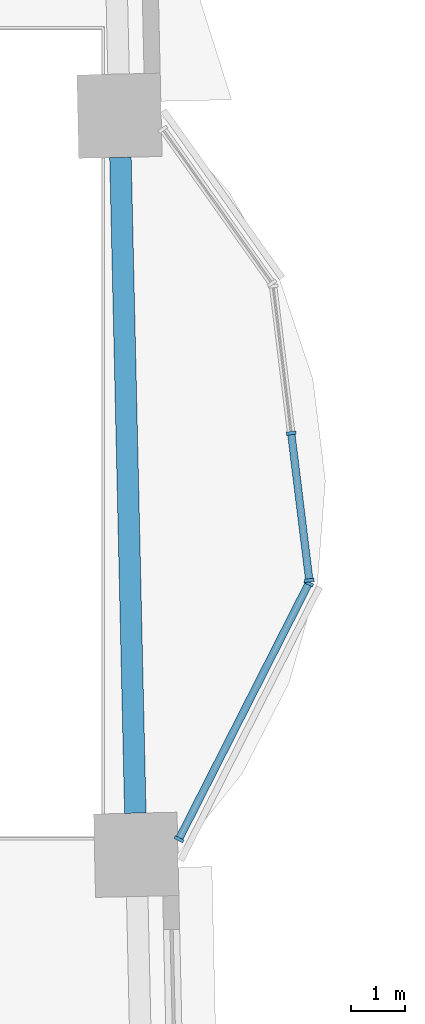
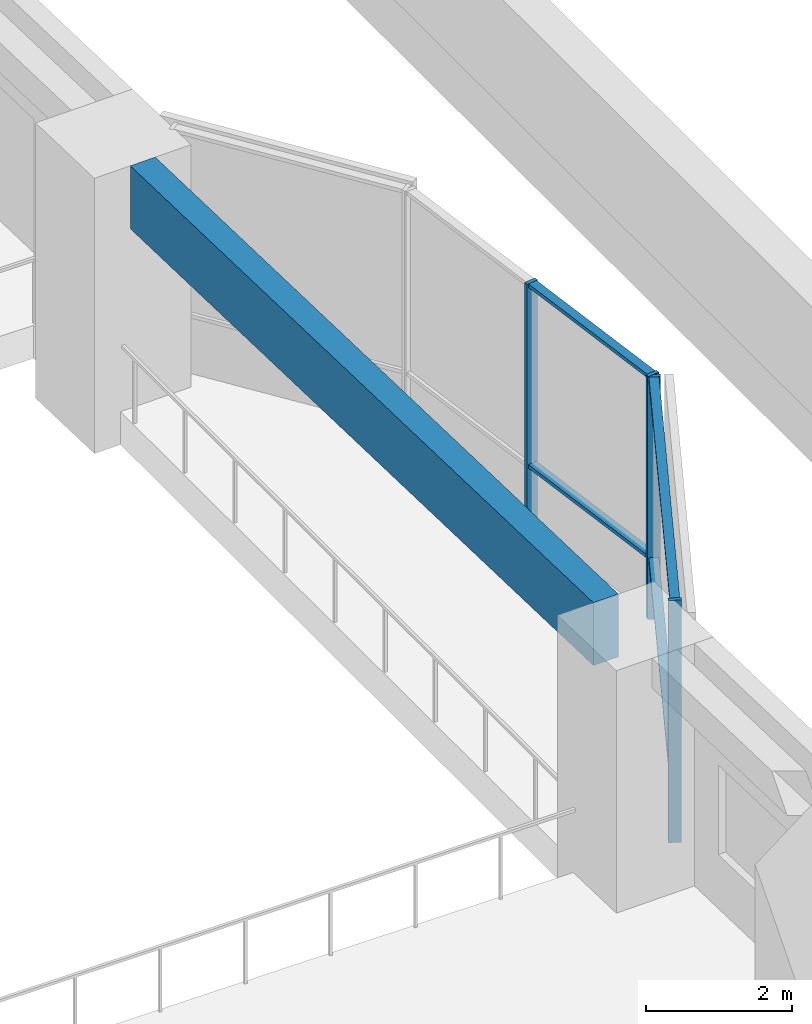
# One storey, part 6 of 21: 8 members, 1 beam, 2 elements without a shape of their own.
"""IFC4 building model written with IfcOpenShell, lengths in metres."""

from ifc_helpers import new_model, si_unit, direction, frame, origin, origin_2d, place, context, subcontext, project, spatial, rectangle, extrude, material, material_profile, profile_set, type_object, element, aggregate, save


model = new_model("IFC4")

# Units and contexts
model_context = context("Model", 3, precision=1e-05, world=origin(), true_north=direction((0.0, 1.0)))
body_context = subcontext(model_context, "Body", "Model", "MODEL_VIEW")
ifc_project = project(units=[si_unit("LENGTHUNIT", "METRE"), si_unit("AREAUNIT", "SQUARE_METRE"), si_unit("VOLUMEUNIT", "CUBIC_METRE"), si_unit("PLANEANGLEUNIT", "RADIAN"), si_unit("MASSUNIT", "GRAM", prefix="KILO")], contexts=[model_context])

# Site, building, storey
site_placement = place(None, origin())
site = spatial("IfcSite", under=ifc_project, at=site_placement, CompositionType="ELEMENT")
building_placement = place(site_placement, origin())
building = spatial("IfcBuilding", under=site, at=building_placement, Name="Mangrove Gate Tower", CompositionType="ELEMENT")
storey_placement = place(building_placement, frame((0.0, 0.0, 29.5)))
storey = spatial("IfcBuildingStorey", under=building, at=storey_placement, Name="L06", CompositionType="ELEMENT", Elevation=29.5)

# Beam
ifc_material_1 = material(Name="Concrete C50/60", Category="concrete")
ifc_material_profile_1 = material_profile(ifc_material_1, rectangle(XDim=0.39990234375, YDim=1.050048828125, at=origin_2d()))
ifc_profile_set_1 = profile_set([ifc_material_profile_1], Name="Concrete C50/60")
beam_type = type_object("IfcBeamType", Name="Edge beam RC 400x1050 C50/60", PredefinedType="BEAM", material=ifc_profile_set_1)
beam_placement = place(storey_placement, frame((28.5556640625, -7.06787109375, 3.52490234375), z_axis=(-0.0226918597, 0.9997425066, 0.0), x_axis=(-0.9997425066, -0.0226918597, 0.0)))
element("IfcBeam", 1, at=beam_placement, inside=storey, type_object=beam_type, Name="Edge beam L06 17", PredefinedType="BEAM", context=body_context, shape_type="SweptSolid", body=[
    extrude(rectangle(XDim=0.39990234375, YDim=1.050048828125, at=origin_2d()), origin(), (0.0, 0.0, 1.0), 12.20068359375),
])

# Curtain wall, members
ifc_material_2 = material(Name="Aluminium and glass curtain wall", Category="aluminium")
curtain_wall_type = type_object("IfcCurtainWallType", Name="Sky-lounge glazing wall", PredefinedType="NOTDEFINED", material=ifc_material_2)
curtain_wall_1_placement = place(storey_placement, origin())
curtain_wall_1 = element("IfcCurtainWall", 2, at=curtain_wall_1_placement, inside=storey, type_object=curtain_wall_type, Name="Sky-lounge glazing E1f1", PredefinedType="NOTDEFINED")
ifc_material_3 = material(Name="Aluminium alloy 6063-T6", Category="aluminium")
ifc_material_profile_2 = material_profile(ifc_material_3, rectangle(XDim=0.06005859375, YDim=0.179931640625, at=origin_2d()))
ifc_profile_set_2 = profile_set([ifc_material_profile_2], Name="Aluminium alloy 6063-T6")
member_type_1 = type_object("IfcMemberType", Name="Sky-lounge glazing mullion 60x180", PredefinedType="MULLION", material=ifc_profile_set_2)
member_1_placement = place(storey_placement, frame((29.365966796875, -7.552734375, 0.0), z_axis=(0.0, 0.0, 1.0), x_axis=(0.452600233136, 0.89171353526, 0.0)))
member_1 = element("IfcMember", 3, at=member_1_placement, type_object=member_type_1, Name="CWK mullion 1", PredefinedType="MULLION", context=body_context, shape_type="SweptSolid", body=[
    extrude(rectangle(XDim=0.06005859375, YDim=0.179931640625, at=origin_2d()), origin(), (0.0, 0.0, 1.0), 4.050048828125),
])
member_2_placement = place(storey_placement, frame((31.781982421875, -2.792724609375, 0.0), z_axis=(0.0, 0.0, 1.0), x_axis=(0.452600233136, 0.89171353526, 0.0)))
member_2 = element("IfcMember", 4, at=member_2_placement, type_object=member_type_1, Name="CWK mullion 2", PredefinedType="MULLION", context=body_context, shape_type="SweptSolid", body=[
    extrude(rectangle(XDim=0.06005859375, YDim=0.179931640625, at=origin_2d()), origin(), (0.0, 0.0, 1.0), 4.050048828125),
])

curtain_wall_2_placement = place(storey_placement, origin())
curtain_wall_2 = element("IfcCurtainWall", 5, at=curtain_wall_2_placement, inside=storey, type_object=curtain_wall_type, Name="Sky-lounge glazing E1f2", PredefinedType="NOTDEFINED")
member_3_placement = place(storey_placement, frame((31.7919921875, -2.736328125, 0.0), z_axis=(0.0, 0.0, 1.0), x_axis=(-0.122172285885, 0.992508908051, 0.0)))
member_3 = element("IfcMember", 6, at=member_3_placement, type_object=member_type_1, Name="CWK mullion 1", PredefinedType="MULLION", context=body_context, shape_type="SweptSolid", body=[
    extrude(rectangle(XDim=0.06005859375, YDim=0.179931640625, at=origin_2d()), origin(), (0.0, 0.0, 1.0), 4.050048828125),
])
member_4_placement = place(storey_placement, frame((31.455078125, -0.000244140625, 0.0), z_axis=(0.0, 0.0, 1.0), x_axis=(-0.122172285885, 0.992508908051, 0.0)))
member_4 = element("IfcMember", 7, at=member_4_placement, type_object=member_type_1, Name="CWK mullion 2", PredefinedType="MULLION", context=body_context, shape_type="SweptSolid", body=[
    extrude(rectangle(XDim=0.06005859375, YDim=0.179931640625, at=origin_2d()), origin(), (0.0, 0.0, 1.0), 4.050048828125),
])

# Member
ifc_material_4 = material(Name="Aluminium alloy 6063-T6", Category="aluminium")
ifc_material_profile_3 = material_profile(ifc_material_4, rectangle(XDim=0.06005859375, YDim=0.139892578125, at=origin_2d()))
ifc_profile_set_3 = profile_set([ifc_material_profile_3], Name="Aluminium alloy 6063-T6")
member_type_2 = type_object("IfcMemberType", Name="Sky-lounge glazing transom 60x140", PredefinedType="USERDEFINED", material=ifc_profile_set_3)
member_5_placement = place(storey_placement, frame((29.379638671875, -7.526123046875, 1.0), z_axis=(0.452608055434, 0.891709564912, 0.0), x_axis=(0.0, 0.0, 1.0)))
member_5 = element("IfcMember", 8, at=member_5_placement, type_object=member_type_2, Name="CWK transom 1.2", ObjectType="TRANSOM", PredefinedType="USERDEFINED", context=body_context, shape_type="SweptSolid", body=[
    extrude(rectangle(XDim=0.06005859375, YDim=0.139892578125, at=origin_2d()), origin(), (0.0, 0.0, 1.0), 5.278076171875),
])

member_6_placement = place(storey_placement, frame((29.379638671875, -7.526123046875, 4.02001953125), z_axis=(0.452608055434, 0.891709564912, 0.0), x_axis=(0.0, 0.0, 1.0)))
member_6 = element("IfcMember", 9, at=member_6_placement, type_object=member_type_2, Name="CWK transom 1.3", ObjectType="TRANSOM", PredefinedType="USERDEFINED", context=body_context, shape_type="SweptSolid", body=[
    extrude(rectangle(XDim=0.06005859375, YDim=0.139892578125, at=origin_2d()), origin(), (0.0, 0.0, 1.0), 5.278076171875),
])

aggregate(curtain_wall_1, [member_1, member_2, member_5, member_6])

member_7_placement = place(storey_placement, frame((31.788330078125, -2.70654296875, 1.0), z_axis=(-0.122218313927, 0.992503241174, 0.0), x_axis=(0.0, 0.0, 1.0)))
member_7 = element("IfcMember", 10, at=member_7_placement, type_object=member_type_2, Name="CWK transom 1.2", ObjectType="TRANSOM", PredefinedType="USERDEFINED", context=body_context, shape_type="SweptSolid", body=[
    extrude(rectangle(XDim=0.06005859375, YDim=0.139892578125, at=origin_2d()), origin(), (0.0, 0.0, 1.0), 2.69677734375),
])

member_8_placement = place(storey_placement, frame((31.788330078125, -2.70654296875, 4.02001953125), z_axis=(-0.122218313927, 0.992503241174, 0.0), x_axis=(0.0, 0.0, 1.0)))
member_8 = element("IfcMember", 11, at=member_8_placement, type_object=member_type_2, Name="CWK transom 1.3", ObjectType="TRANSOM", PredefinedType="USERDEFINED", context=body_context, shape_type="SweptSolid", body=[
    extrude(rectangle(XDim=0.06005859375, YDim=0.139892578125, at=origin_2d()), origin(), (0.0, 0.0, 1.0), 2.69677734375),
])

aggregate(curtain_wall_2, [member_3, member_4, member_7, member_8])

save(model, "model.ifc")
